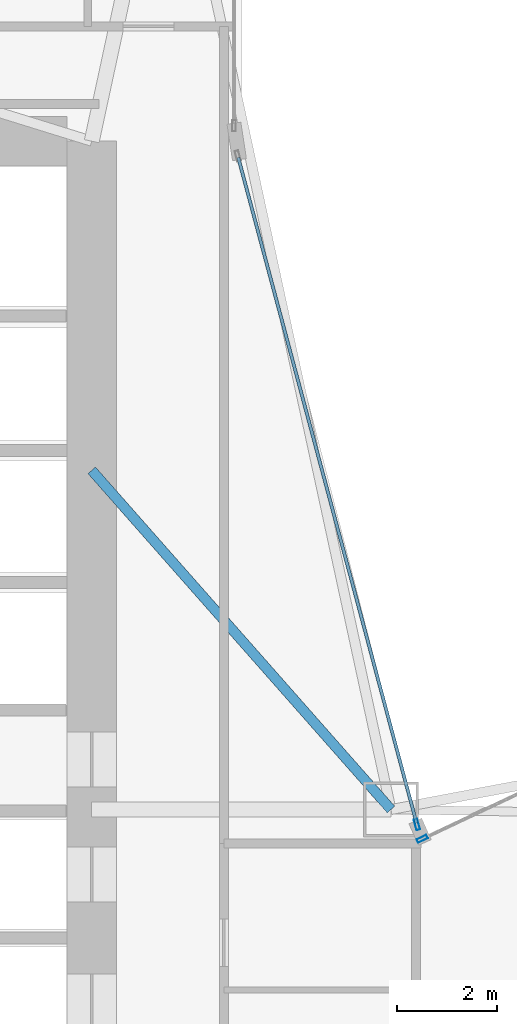
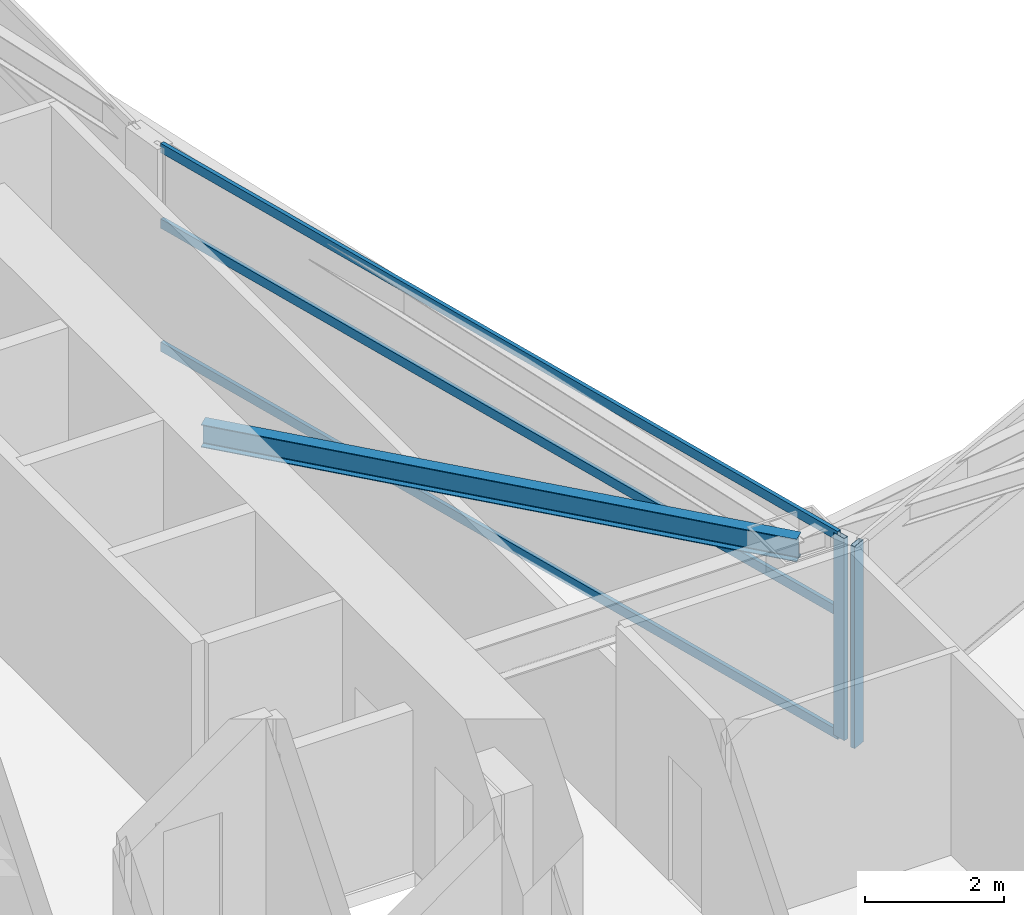
# One storey, part 10 of 29: 5 members, 1 beam, 2 elements without a shape of their own.
"""IFC4 building model written with IfcOpenShell, lengths in metres."""

from ifc_helpers import new_model, si_unit, direction, frame, origin, origin_2d, place, context, subcontext, project, spatial, hollow_rectangle, i_section, extrude, material, layer, layer_set, material_profile, profile_set, type_object, element, aggregate, save


model = new_model("IFC4")

# Units and contexts
model_context = context("Model", 3, precision=1e-05, world=origin(), true_north=direction((0.0, 1.0)))
body_context = subcontext(model_context, "Body", "Model", "MODEL_VIEW")
ifc_project = project(units=[si_unit("LENGTHUNIT", "METRE"), si_unit("AREAUNIT", "SQUARE_METRE"), si_unit("VOLUMEUNIT", "CUBIC_METRE"), si_unit("PLANEANGLEUNIT", "RADIAN"), si_unit("MASSUNIT", "GRAM", prefix="KILO")], contexts=[model_context])

# Site, building, storey
site_placement = place(None, origin())
site = spatial("IfcSite", under=ifc_project, at=site_placement, CompositionType="ELEMENT")
building_placement = place(site_placement, origin())
building = spatial("IfcBuilding", under=site, at=building_placement, Name="Calvorn Quay Hotel", CompositionType="ELEMENT")
storey_placement = place(building_placement, frame((0.0, 0.0, 69.800048828125)))
storey = spatial("IfcBuildingStorey", under=building, at=storey_placement, Name="L16", CompositionType="ELEMENT", Elevation=69.800048828125)

# Beam
ifc_material_1 = material(Name="Steel Q355B", Category="steel")
ifc_material_profile_1 = material_profile(ifc_material_1, i_section(OverallWidth=0.199951171875, OverallDepth=0.39990234375, WebThickness=0.008056640625, FlangeThickness=0.012939453125, FilletRadius=0.01611328125, at=origin_2d()), Name="HN400x200x8x13")
ifc_profile_set_1 = profile_set([ifc_material_profile_1], Name="Steel Q355B")
beam_type = type_object("IfcBeamType", Name="BM-JOIST-TYP", PredefinedType="JOIST", material=ifc_profile_set_1)
beam_placement = place(storey_placement, frame((15.0, 31.800048828125, 3.33984375), z_axis=(0.661618965899, -0.749840212287, 0.0), x_axis=(0.749840212287, 0.661618965899, 0.0)))
element("IfcBeam", 1, at=beam_placement, inside=storey, type_object=beam_type, Name="Beam BJ-L16-C1", PredefinedType="JOIST", context=body_context, shape_type="SweptSolid", body=[
    extrude(i_section(OverallWidth=0.199951171875, OverallDepth=0.39990234375, WebThickness=0.008056640625, FlangeThickness=0.012939453125, FilletRadius=0.01611328125, at=origin_2d()), origin(), (0.0, 0.0, 1.0), 9.068603515625),
])

# Curtain wall, member
ifc_material_2 = material(Name="Pale Anodised Aluminium and Low-E Glass", Category="aluminium")
ifc_layer = layer(ifc_material_2, 0.219970703125)
ifc_layer_set = layer_set([ifc_layer], Name="CW-SYS-Z1")
curtain_wall_type = type_object("IfcCurtainWallType", Name="CW-SYS-Z1", PredefinedType="NOTDEFINED", material=ifc_layer_set)
curtain_wall_1_placement = place(storey_placement, origin())
curtain_wall_1 = element("IfcCurtainWall", 2, at=curtain_wall_1_placement, inside=storey, type_object=curtain_wall_type, Name="Inner Court Curtain Wall L16-NE1", PredefinedType="NOTDEFINED")
ifc_material_3 = material(Name="Pale Anodised Aluminium 6063-T6", Category="aluminium")
ifc_material_profile_2 = material_profile(ifc_material_3, hollow_rectangle(XDim=0.074951171875, YDim=0.219970703125, WallThickness=0.00439453125, at=origin_2d()), Name="ALU-M220x75x4.5")
ifc_profile_set_2 = profile_set([ifc_material_profile_2], Name="Pale Anodised Aluminium 6063-T6")
member_type_1 = type_object("IfcMemberType", Name="CW-SYS-Z1-MUL", PredefinedType="MULLION", material=ifc_profile_set_2)
member_1_placement = place(storey_placement, frame((21.627197265625, 24.412841796875, 0.0), z_axis=(0.0, 0.0, 1.0), x_axis=(0.427006305415, -0.904248646743, 0.0)))
member_1 = element("IfcMember", 3, at=member_1_placement, type_object=member_type_1, Name="CW-L16-NE1 mullion 4", PredefinedType="MULLION", context=body_context, shape_type="SweptSolid", body=[
    extrude(hollow_rectangle(XDim=0.074951171875, YDim=0.219970703125, WallThickness=0.00439453125, at=origin_2d()), origin(), (0.0, 0.0, 1.0), 3.56005859375),
])
aggregate(curtain_wall_1, [member_1])

# Curtain wall, members
curtain_wall_2_placement = place(storey_placement, origin())
curtain_wall_2 = element("IfcCurtainWall", 4, at=curtain_wall_2_placement, inside=storey, type_object=curtain_wall_type, Name="Inner Court Curtain Wall L16-IC1", PredefinedType="NOTDEFINED")
member_2_placement = place(storey_placement, frame((21.520263671875, 24.698974609375, 0.0), z_axis=(0.0, 0.0, 1.0), x_axis=(-0.96593652056, -0.25877913024, 0.0)))
member_2 = element("IfcMember", 5, at=member_2_placement, type_object=member_type_1, Name="CW-L16-IC1 mullion 1", PredefinedType="MULLION", context=body_context, shape_type="SweptSolid", body=[
    extrude(hollow_rectangle(XDim=0.074951171875, YDim=0.219970703125, WallThickness=0.00439453125, at=origin_2d()), origin(), (0.0, 0.0, 1.0), 3.56005859375),
])
ifc_material_4 = material(Name="Pale Anodised Aluminium 6063-T6", Category="aluminium")
ifc_material_profile_3 = material_profile(ifc_material_4, hollow_rectangle(XDim=0.06494140625, YDim=0.1650390625, WallThickness=0.00341796875, at=origin_2d()), Name="ALU-T165x65x3.5")
ifc_profile_set_3 = profile_set([ifc_material_profile_3], Name="Pale Anodised Aluminium 6063-T6")
member_type_2 = type_object("IfcMemberType", Name="CW-SYS-Z1-TRN", PredefinedType="USERDEFINED", material=ifc_profile_set_3)
member_3_placement = place(storey_placement, frame((21.512451171875, 24.72802734375, 0.030029296875), z_axis=(-0.258781136883, 0.965935982969, 0.0), x_axis=(-0.965935982969, -0.258781136883, 0.0)))
member_3 = element("IfcMember", 6, at=member_3_placement, type_object=member_type_2, Name="CW-L16-IC1 transom 1.1", ObjectType="TRANSOM", PredefinedType="USERDEFINED", context=body_context, shape_type="SweptSolid", body=[
    extrude(hollow_rectangle(XDim=0.06494140625, YDim=0.1650390625, WallThickness=0.00341796875, at=origin_2d()), origin(), (0.0, 0.0, 1.0), 13.814453125),
])
member_4_placement = place(storey_placement, frame((21.512451171875, 24.72802734375, 2.199951171875), z_axis=(-0.258781136883, 0.965935982969, 0.0), x_axis=(-0.965935982969, -0.258781136883, 0.0)))
member_4 = element("IfcMember", 7, at=member_4_placement, type_object=member_type_2, Name="CW-L16-IC1 transom 1.2", ObjectType="TRANSOM", PredefinedType="USERDEFINED", context=body_context, shape_type="SweptSolid", body=[
    extrude(hollow_rectangle(XDim=0.06494140625, YDim=0.1650390625, WallThickness=0.00341796875, at=origin_2d()), origin(), (0.0, 0.0, 1.0), 13.814453125),
])
member_5_placement = place(storey_placement, frame((21.512451171875, 24.72802734375, 3.530029296875), z_axis=(-0.258781136883, 0.965935982969, 0.0), x_axis=(-0.965935982969, -0.258781136883, 0.0)))
member_5 = element("IfcMember", 8, at=member_5_placement, type_object=member_type_2, Name="CW-L16-IC1 transom 1.3", ObjectType="TRANSOM", PredefinedType="USERDEFINED", context=body_context, shape_type="SweptSolid", body=[
    extrude(hollow_rectangle(XDim=0.06494140625, YDim=0.1650390625, WallThickness=0.00341796875, at=origin_2d()), origin(), (0.0, 0.0, 1.0), 13.814453125),
])
aggregate(curtain_wall_2, [member_2, member_3, member_4, member_5])

save(model, "model.ifc")
